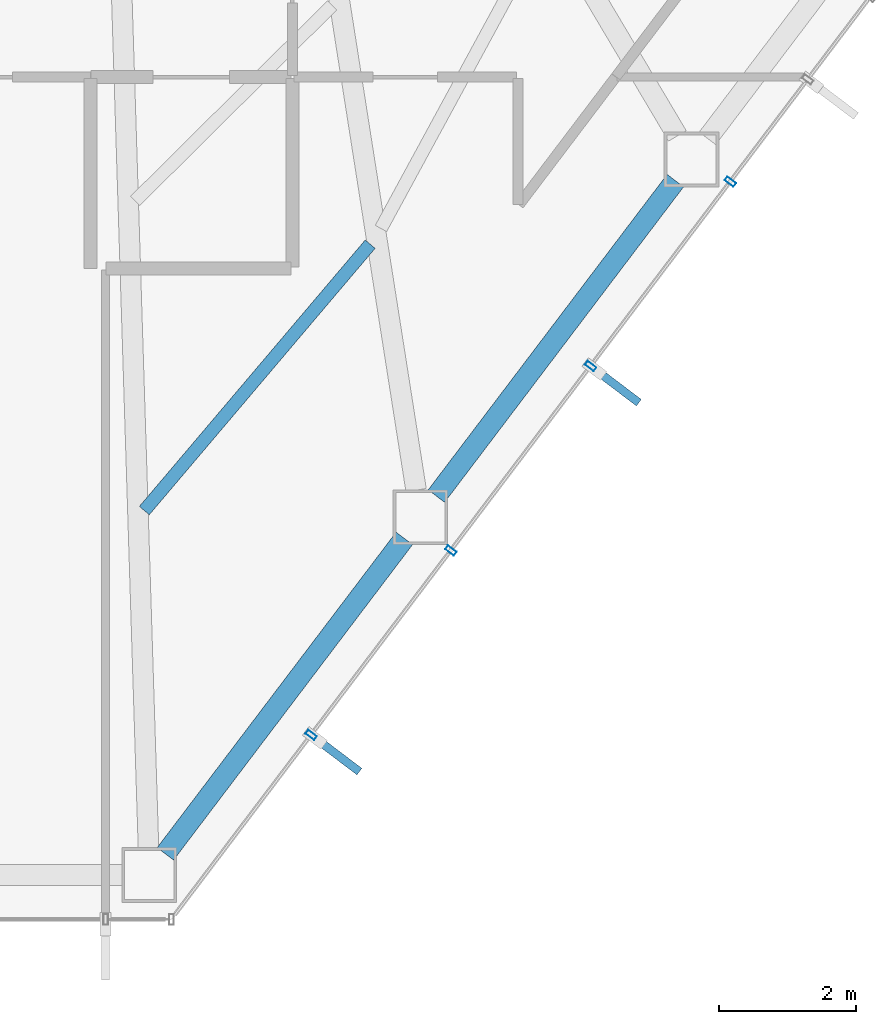
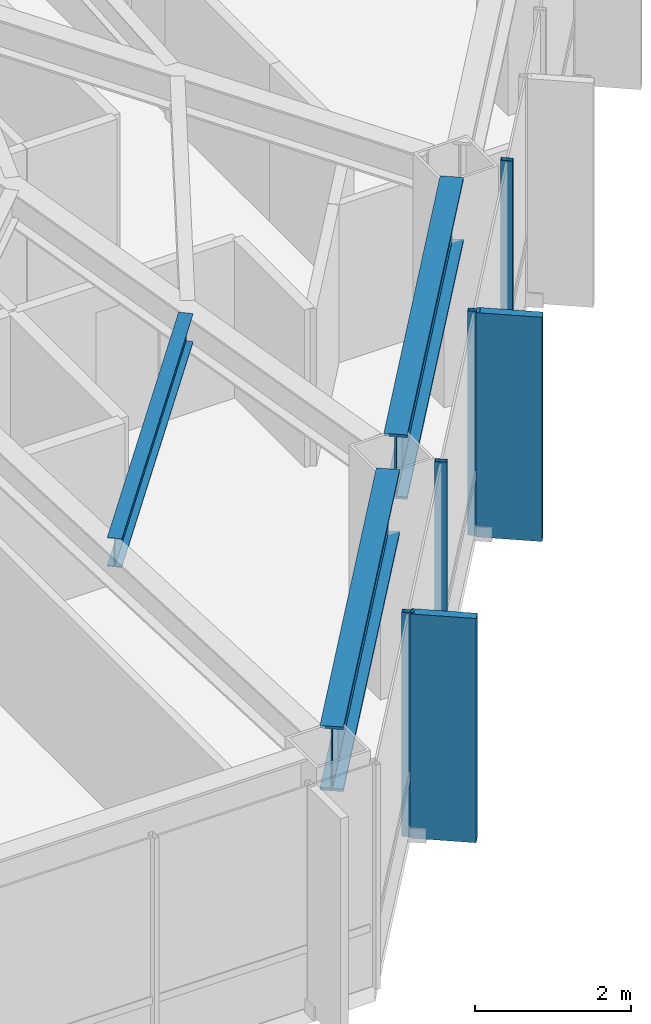
# One storey, part 17 of 28: 6 members, 3 beams, 1 element without a shape of its own.
"""IFC4 building model written with IfcOpenShell, lengths in metres."""

from ifc_helpers import new_model, si_unit, direction, frame, origin, origin_2d, place, context, subcontext, project, spatial, rectangle, hollow_rectangle, i_section, extrude, material, layer, layer_set, material_profile, profile_set, type_object, element, aggregate, save


model = new_model("IFC4")

# Units and contexts
model_context = context("Model", 3, precision=1e-05, world=origin(), true_north=direction((0.0, 1.0)))
body_context = subcontext(model_context, "Body", "Model", "MODEL_VIEW")
ifc_project = project(units=[si_unit("LENGTHUNIT", "METRE"), si_unit("AREAUNIT", "SQUARE_METRE"), si_unit("VOLUMEUNIT", "CUBIC_METRE"), si_unit("PLANEANGLEUNIT", "RADIAN"), si_unit("MASSUNIT", "GRAM", prefix="KILO")], contexts=[model_context])

# Site, building, storey
site_placement = place(None, origin())
site = spatial("IfcSite", under=ifc_project, at=site_placement, CompositionType="ELEMENT")
building_placement = place(site_placement, origin())
building = spatial("IfcBuilding", under=site, at=building_placement, Name="Zarrinselat Tower", CompositionType="ELEMENT")
storey_placement = place(building_placement, frame((0.0, 0.0, 145.860107421875)))
storey = spatial("IfcBuildingStorey", under=building, at=storey_placement, Name="L35", CompositionType="ELEMENT", Elevation=145.860107421875)

# Beams
ifc_material_1 = material(Name="Steel S460M", Category="steel")
ifc_material_profile_1 = material_profile(ifc_material_1, i_section(OverallWidth=0.302001953125, OverallDepth=1.008056640625, WebThickness=0.02099609375, FlangeThickness=0.0400390625, at=origin_2d()), Name="HEM 1000")
ifc_profile_set_1 = profile_set([ifc_material_profile_1], Name="Steel S460M")
beam_type_1 = type_object("IfcBeamType", Name="BM-HEM1000", PredefinedType="BEAM", material=ifc_profile_set_1)
for number, where, z_axis, x_axis, name in (
    (1, (46.49169921875, 18.790771484375, 2.995849609375), (0.603867434816, 0.797084764106, 0.0), (-0.797084764106, 0.603867434816, 0.0), "L35 Perimeter Spandrel Girder SP11"),
    (2, (50.454833984375, 24.022216796875, 2.995849609375), (0.603867434816, 0.797084764106, 0.0), (-0.797084764106, 0.603867434816, 0.0), "L35 Perimeter Spandrel Girder SP12"),
):
    element("IfcBeam", number, at=place(storey_placement, frame(where, z_axis=z_axis, x_axis=x_axis)), inside=storey, type_object=beam_type_1, Name=name, PredefinedType="BEAM", context=body_context, shape_type="SweptSolid", body=[
        extrude(i_section(OverallWidth=0.302001953125, OverallDepth=1.008056640625, WebThickness=0.02099609375, FlangeThickness=0.0400390625, at=origin_2d()), origin(), (0.0, 0.0, 1.0), 5.787109375),
    ])
ifc_material_2 = material(Name="Steel S355J2", Category="steel")
ifc_material_profile_2 = material_profile(ifc_material_2, i_section(OverallWidth=0.18994140625, OverallDepth=0.449951171875, WebThickness=0.009521484375, FlangeThickness=0.0146484375, at=origin_2d()), Name="IPE 450")
ifc_profile_set_2 = profile_set([ifc_material_profile_2], Name="Steel S355J2")
beam_type_2 = type_object("IfcBeamType", Name="BM-IPE450", PredefinedType="JOIST", material=ifc_profile_set_2)
beam_placement = place(storey_placement, frame((46.18408203125, 23.810302734375, 3.27490234375), z_axis=(0.646687670073, 0.762754913046, 0.0), x_axis=(-0.762754913046, 0.646687670073, 0.0)))
element("IfcBeam", 3, at=beam_placement, inside=storey, type_object=beam_type_2, Name="L35 Composite Floor Joist 3-1", PredefinedType="JOIST", context=body_context, shape_type="SweptSolid", body=[
    extrude(i_section(OverallWidth=0.18994140625, OverallDepth=0.449951171875, WebThickness=0.009521484375, FlangeThickness=0.0146484375, at=origin_2d()), origin(), (0.0, 0.0, 1.0), 5.107177734375),
])

# Curtain wall, members
ifc_material_3 = material(Name="Extruded Aluminium Alloy EN AW-6063 T6", Category="aluminium")
ifc_layer = layer(ifc_material_3, 0.175048828125)
ifc_layer_set = layer_set([ifc_layer], Name="Extruded Aluminium Alloy EN AW-6063 T6")
curtain_wall_type = type_object("IfcCurtainWallType", Name="CWS-HTL", PredefinedType="NOTDEFINED", material=ifc_layer_set)
curtain_wall_placement = place(storey_placement, origin())
curtain_wall = element("IfcCurtainWall", 4, at=curtain_wall_placement, inside=storey, type_object=curtain_wall_type, Name="L35 Unitised Curtain Wall CW-L35-E05", PredefinedType="NOTDEFINED")
ifc_material_4 = material(Name="Extruded Aluminium Alloy EN AW-6063 T6", Category="aluminium")
ifc_material_profile_3 = material_profile(ifc_material_4, hollow_rectangle(XDim=0.070068359375, YDim=0.159912109375, WallThickness=0.00390625, at=origin_2d()), Name="RHS 160x70x4")
ifc_profile_set_3 = profile_set([ifc_material_profile_3], Name="Extruded Aluminium Alloy EN AW-6063 T6")
member_type_1 = type_object("IfcMemberType", Name="MEM-CW-MUL2", PredefinedType="MULLION", material=ifc_profile_set_3)
member_1_placement = place(storey_placement, frame((48.62353515625, 20.5283203125, 0.0), z_axis=(0.0, 0.0, 1.0), x_axis=(0.603857687995, 0.797092148154, 0.0)))
member_1 = element("IfcMember", 5, at=member_1_placement, type_object=member_type_1, Name="CW-L35-E05 Mullion 1", PredefinedType="MULLION", context=body_context, shape_type="SweptSolid", body=[
    extrude(hollow_rectangle(XDim=0.070068359375, YDim=0.159912109375, WallThickness=0.00390625, at=origin_2d()), origin(), (0.0, 0.0, 1.0), 3.5),
])
member_2_placement = place(storey_placement, frame((50.666748046875, 23.225341796875, 0.0), z_axis=(0.0, 0.0, 1.0), x_axis=(0.603857687995, 0.797092148154, 0.0)))
member_2 = element("IfcMember", 6, at=member_2_placement, type_object=member_type_1, Name="CW-L35-E05 Mullion 2", PredefinedType="MULLION", context=body_context, shape_type="SweptSolid", body=[
    extrude(hollow_rectangle(XDim=0.070068359375, YDim=0.159912109375, WallThickness=0.00390625, at=origin_2d()), origin(), (0.0, 0.0, 1.0), 3.5),
])
member_3_placement = place(storey_placement, frame((52.7099609375, 25.92236328125, 0.0), z_axis=(0.0, 0.0, 1.0), x_axis=(0.603857687995, 0.797092148154, 0.0)))
member_3 = element("IfcMember", 7, at=member_3_placement, type_object=member_type_1, Name="CW-L35-E05 Mullion 3", PredefinedType="MULLION", context=body_context, shape_type="SweptSolid", body=[
    extrude(hollow_rectangle(XDim=0.070068359375, YDim=0.159912109375, WallThickness=0.00390625, at=origin_2d()), origin(), (0.0, 0.0, 1.0), 3.5),
])
member_4_placement = place(storey_placement, frame((54.7529296875, 28.619140625, 0.0), z_axis=(0.0, 0.0, 1.0), x_axis=(0.603857687995, 0.797092148154, 0.0)))
member_4 = element("IfcMember", 8, at=member_4_placement, type_object=member_type_1, Name="CW-L35-E05 Mullion 4", PredefinedType="MULLION", context=body_context, shape_type="SweptSolid", body=[
    extrude(hollow_rectangle(XDim=0.070068359375, YDim=0.159912109375, WallThickness=0.00390625, at=origin_2d()), origin(), (0.0, 0.0, 1.0), 3.5),
])
ifc_material_5 = material(Name="Honed Cream Travertine Stone", Category="masonry")
ifc_material_profile_4 = material_profile(ifc_material_5, rectangle(XDim=0.1201171875, YDim=0.85009765625, at=origin_2d()), Name="FIN 850x120")
ifc_profile_set_4 = profile_set([ifc_material_profile_4], Name="Honed Cream Travertine Stone")
member_type_2 = type_object("IfcMemberType", Name="MEM-STONE-FIN", PredefinedType="USERDEFINED", material=ifc_profile_set_4)
member_5_placement = place(storey_placement, frame((48.990234375, 20.25048828125, 0.0), z_axis=(0.0, 0.0, 1.0), x_axis=(-0.603857687995, -0.797092148154, 0.0)))
member_5 = element("IfcMember", 9, at=member_5_placement, type_object=member_type_2, Name="L35 Stone Shading Fin CW-L35-E05-01", ObjectType="FIN", PredefinedType="USERDEFINED", context=body_context, shape_type="SweptSolid", body=[
    extrude(rectangle(XDim=0.1201171875, YDim=0.85009765625, at=origin_2d()), origin(), (0.0, 0.0, 1.0), 3.5),
])
member_6_placement = place(storey_placement, frame((53.07666015625, 25.64453125, 0.0), z_axis=(0.0, 0.0, 1.0), x_axis=(-0.603857687995, -0.797092148154, 0.0)))
member_6 = element("IfcMember", 10, at=member_6_placement, type_object=member_type_2, Name="L35 Stone Shading Fin CW-L35-E05-03", ObjectType="FIN", PredefinedType="USERDEFINED", context=body_context, shape_type="SweptSolid", body=[
    extrude(rectangle(XDim=0.1201171875, YDim=0.85009765625, at=origin_2d()), origin(), (0.0, 0.0, 1.0), 3.5),
])
aggregate(curtain_wall, [member_1, member_5, member_2, member_3, member_6, member_4])

save(model, "model.ifc")
